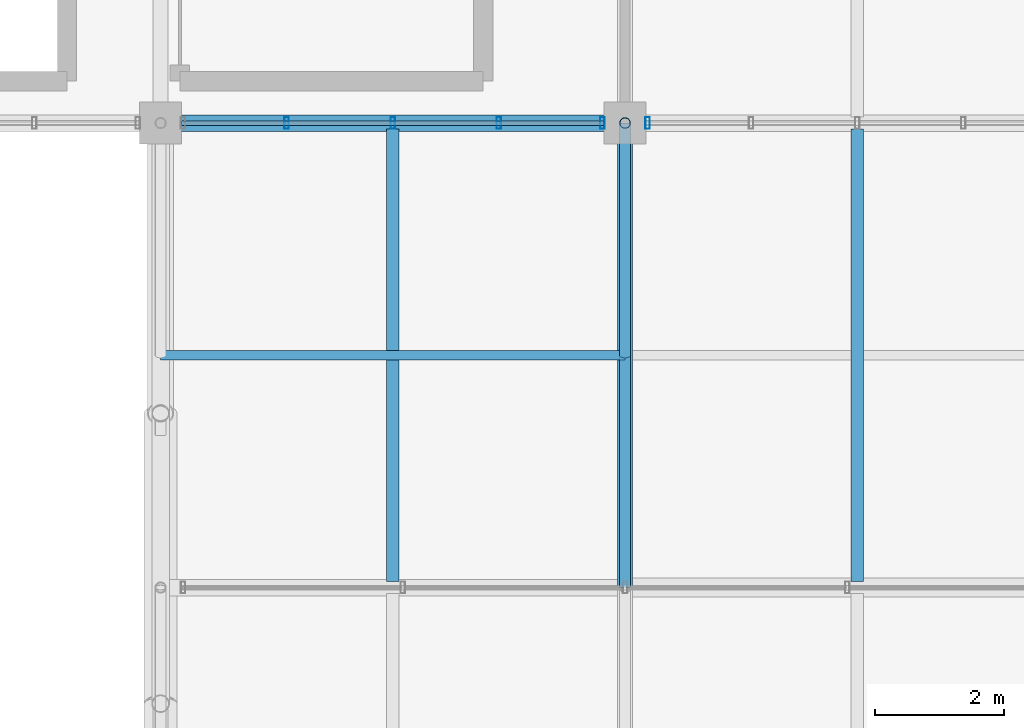
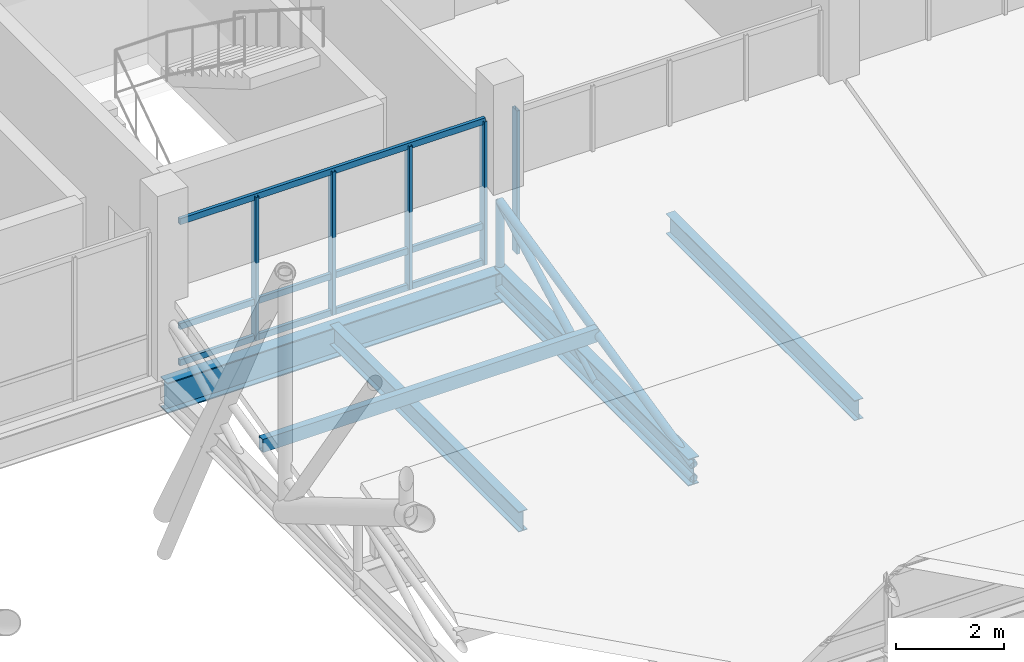
# One storey, part 80 of 144: 13 members, 4 beams, 2 elements without a shape of their own.
"""IFC4 building model written with IfcOpenShell, lengths in metres."""

from ifc_helpers import new_model, si_unit, direction, frame, origin, origin_2d, place, context, subcontext, project, spatial, hollow_rectangle, hollow_circle, i_section, extrude, material, material_profile, profile_set, type_object, element, aggregate, save


model = new_model("IFC4")

# Units and contexts
model_context = context("Model", 3, precision=1e-05, world=origin(), true_north=direction((0.0, 1.0)))
body_context = subcontext(model_context, "Body", "Model", "MODEL_VIEW")
ifc_project = project(units=[si_unit("LENGTHUNIT", "METRE"), si_unit("AREAUNIT", "SQUARE_METRE"), si_unit("VOLUMEUNIT", "CUBIC_METRE"), si_unit("PLANEANGLEUNIT", "RADIAN"), si_unit("MASSUNIT", "GRAM", prefix="KILO")], contexts=[model_context])

# Site, building, storey
site_placement = place(None, origin())
site = spatial("IfcSite", under=ifc_project, at=site_placement, CompositionType="ELEMENT")
building_placement = place(site_placement, origin())
building = spatial("IfcBuilding", under=site, at=building_placement, Name="Yarey Park Central Fire Station", CompositionType="ELEMENT")
storey_placement = place(building_placement, frame((0.0, 0.0, 10.199951171875)))
storey = spatial("IfcBuildingStorey", under=building, at=storey_placement, Name="L03", CompositionType="ELEMENT", Elevation=10.199951171875)

# Curtain wall, members
ifc_material_1 = material(Name="Anodized Aluminium Frame", Category="aluminium")
curtain_wall_type = type_object("IfcCurtainWallType", Name="ENV_CW_HQ_L03", PredefinedType="NOTDEFINED", material=ifc_material_1)
curtain_wall_1_placement = place(storey_placement, origin())
curtain_wall_1 = element("IfcCurtainWall", 1, at=curtain_wall_1_placement, inside=storey, type_object=curtain_wall_type, Name="CW_L03_V4_S_4", PredefinedType="NOTDEFINED")
ifc_material_profile_1 = material_profile(ifc_material_1, hollow_rectangle(XDim=0.070068359375, YDim=0.179931640625, WallThickness=0.00390625, at=origin_2d()), Name="ALU 180x70x4")
ifc_profile_set_1 = profile_set([ifc_material_profile_1], Name="Anodized Aluminium Frame")
member_type_1 = type_object("IfcMemberType", Name="ENV_CW_MULLION", PredefinedType="MULLION", material=ifc_profile_set_1)
member_1_placement = place(storey_placement, frame((138.7548828125, 93.60009765625, 0.0), z_axis=(0.0, 0.0, 1.0), x_axis=(1.0, 0.0, 0.0)))
member_1 = element("IfcMember", 2, at=member_1_placement, type_object=member_type_1, Name="CW_L03_V4_S_4_MUL2", PredefinedType="MULLION", context=body_context, shape_type="SweptSolid", body=[
    extrude(hollow_rectangle(XDim=0.070068359375, YDim=0.179931640625, WallThickness=0.00390625, at=origin_2d()), origin(), (0.0, 0.0, 1.0), 3.25),
])
member_2_placement = place(storey_placement, frame((140.39990234375, 93.60009765625, 0.0), z_axis=(0.0, 0.0, 1.0), x_axis=(1.0, 0.0, 0.0)))
member_2 = element("IfcMember", 3, at=member_2_placement, type_object=member_type_1, Name="CW_L03_V4_S_4_MUL3", PredefinedType="MULLION", context=body_context, shape_type="SweptSolid", body=[
    extrude(hollow_rectangle(XDim=0.070068359375, YDim=0.179931640625, WallThickness=0.00390625, at=origin_2d()), origin(), (0.0, 0.0, 1.0), 3.25),
])
member_3_placement = place(storey_placement, frame((142.044921875, 93.60009765625, 0.0), z_axis=(0.0, 0.0, 1.0), x_axis=(1.0, 0.0, 0.0)))
member_3 = element("IfcMember", 4, at=member_3_placement, type_object=member_type_1, Name="CW_L03_V4_S_4_MUL4", PredefinedType="MULLION", context=body_context, shape_type="SweptSolid", body=[
    extrude(hollow_rectangle(XDim=0.070068359375, YDim=0.179931640625, WallThickness=0.00390625, at=origin_2d()), origin(), (0.0, 0.0, 1.0), 3.25),
])
member_4_placement = place(storey_placement, frame((143.64990234375, 93.60009765625, 0.0), z_axis=(0.0, 0.0, 1.0), x_axis=(1.0, 0.0, 0.0)))
member_4 = element("IfcMember", 5, at=member_4_placement, type_object=member_type_1, Name="CW_L03_V4_S_4_MUL5", PredefinedType="MULLION", context=body_context, shape_type="SweptSolid", body=[
    extrude(hollow_rectangle(XDim=0.070068359375, YDim=0.179931640625, WallThickness=0.00390625, at=origin_2d()), origin(), (0.0, 0.0, 1.0), 3.25),
])

# Curtain wall, member
curtain_wall_2_placement = place(storey_placement, origin())
curtain_wall_2 = element("IfcCurtainWall", 6, at=curtain_wall_2_placement, inside=storey, type_object=curtain_wall_type, Name="CW_L03_V4_S_5", PredefinedType="NOTDEFINED")
member_5_placement = place(storey_placement, frame((144.35009765625, 93.60009765625, 0.0), z_axis=(0.0, 0.0, 1.0), x_axis=(1.0, 0.0, 0.0)))
member_5 = element("IfcMember", 7, at=member_5_placement, type_object=member_type_1, Name="CW_L03_V4_S_5_MUL1", PredefinedType="MULLION", context=body_context, shape_type="SweptSolid", body=[
    extrude(hollow_rectangle(XDim=0.070068359375, YDim=0.179931640625, WallThickness=0.00390625, at=origin_2d()), origin(), (0.0, 0.0, 1.0), 3.25),
])
aggregate(curtain_wall_2, [member_5])

# Member
ifc_material_profile_2 = material_profile(ifc_material_1, hollow_rectangle(XDim=0.070068359375, YDim=0.139892578125, WallThickness=0.00390625, at=origin_2d()), Name="ALU 140x70x4")
ifc_profile_set_2 = profile_set([ifc_material_profile_2], Name="Anodized Aluminium Frame")
member_type_2 = type_object("IfcMemberType", Name="ENV_CW_TRANSOM", PredefinedType="USERDEFINED", material=ifc_profile_set_2)
member_6_placement = place(storey_placement, frame((137.125, 93.60009765625, 0.025146484375), z_axis=(1.0, 0.0, 0.0), x_axis=(0.0, 1.0, 0.0)))
member_6 = element("IfcMember", 8, at=member_6_placement, type_object=member_type_2, Name="CW_L03_V4_S_4_TRN1", ObjectType="TRANSOM", PredefinedType="USERDEFINED", context=body_context, shape_type="SweptSolid", body=[
    extrude(hollow_rectangle(XDim=0.070068359375, YDim=0.139892578125, WallThickness=0.00390625, at=origin_2d()), origin(), (0.0, 0.0, 1.0), 6.550048828125),
])

member_7_placement = place(storey_placement, frame((137.125, 93.60009765625, 0.85009765625), z_axis=(1.0, 0.0, 0.0), x_axis=(0.0, 1.0, 0.0)))
member_7 = element("IfcMember", 9, at=member_7_placement, type_object=member_type_2, Name="CW_L03_V4_S_4_TRN2", ObjectType="TRANSOM", PredefinedType="USERDEFINED", context=body_context, shape_type="SweptSolid", body=[
    extrude(hollow_rectangle(XDim=0.070068359375, YDim=0.139892578125, WallThickness=0.00390625, at=origin_2d()), origin(), (0.0, 0.0, 1.0), 6.550048828125),
])

member_8_placement = place(storey_placement, frame((137.125, 93.60009765625, 3.22509765625), z_axis=(1.0, 0.0, 0.0), x_axis=(0.0, 1.0, 0.0)))
member_8 = element("IfcMember", 10, at=member_8_placement, type_object=member_type_2, Name="CW_L03_V4_S_4_TRN3", ObjectType="TRANSOM", PredefinedType="USERDEFINED", context=body_context, shape_type="SweptSolid", body=[
    extrude(hollow_rectangle(XDim=0.070068359375, YDim=0.139892578125, WallThickness=0.00390625, at=origin_2d()), origin(), (0.0, 0.0, 1.0), 6.550048828125),
])

aggregate(curtain_wall_1, [member_1, member_2, member_3, member_4, member_6, member_7, member_8])

# Beams
ifc_material_2 = material(Name="Steel ASTM A992 Gr. 50", Category="steel")
ifc_material_profile_3 = material_profile(ifc_material_2, i_section(OverallWidth=0.22900390625, OverallDepth=0.612060546875, WebThickness=0.011962890625, FlangeThickness=0.01953125, at=origin_2d()), Name="W610x125")
ifc_profile_set_3 = profile_set([ifc_material_profile_3], Name="Steel ASTM A992 Gr. 50")
beam_type_1 = type_object("IfcBeamType", Name="STR_BM_W610", PredefinedType="BEAM", material=ifc_profile_set_3)
beam_1_placement = place(storey_placement, frame((144.0, 86.39990234375, -0.48583984375), z_axis=(0.0, 1.0, 0.0), x_axis=(-1.0, 0.0, 0.0)))
element("IfcBeam", 11, at=beam_1_placement, inside=storey, type_object=beam_type_1, Name="BMY L03 X1440 Y864", PredefinedType="BEAM", context=body_context, shape_type="SweptSolid", body=[
    extrude(i_section(OverallWidth=0.22900390625, OverallDepth=0.612060546875, WebThickness=0.011962890625, FlangeThickness=0.01953125, at=origin_2d()), origin(), (0.0, 0.0, 1.0), 7.2001953125),
])
ifc_material_profile_4 = material_profile(ifc_material_2, i_section(OverallWidth=0.256103515625, OverallDepth=0.693115234375, WebThickness=0.014404296875, FlangeThickness=0.023681640625, at=origin_2d()), Name="W690x170")
ifc_profile_set_4 = profile_set([ifc_material_profile_4], Name="Steel ASTM A992 Gr. 50")
beam_type_2 = type_object("IfcBeamType", Name="STR_BM_W690", PredefinedType="BEAM", material=ifc_profile_set_4)
beam_2_placement = place(storey_placement, frame((136.800048828125, 93.60009765625, -0.6064453125), z_axis=(1.0, 0.0, 0.0), x_axis=(0.0, 1.0, 0.0)))
element("IfcBeam", 12, at=beam_2_placement, inside=storey, type_object=beam_type_2, Name="BMX L03 Y936 X1368", PredefinedType="BEAM", context=body_context, shape_type="SweptSolid", body=[
    extrude(i_section(OverallWidth=0.256103515625, OverallDepth=0.693115234375, WebThickness=0.014404296875, FlangeThickness=0.023681640625, at=origin_2d()), origin(), (0.0, 0.0, 1.0), 7.199951171875),
])

# Members
ifc_material_3 = material(Name="Steel ASTM A500 Gr. C", Category="steel")
ifc_material_profile_5 = material_profile(ifc_material_3, hollow_circle(Radius=0.084228515625, WallThickness=0.008056640625, at=origin_2d()), Name="CHS 168.3x8")
ifc_profile_set_5 = profile_set([ifc_material_profile_5], Name="Steel ASTM A500 Gr. C")
member_type_3 = type_object("IfcMemberType", Name="STR_CHORD_CHS168", PredefinedType="CHORD", material=ifc_profile_set_5)
member_9_placement = place(storey_placement, frame((144.0, 86.39990234375, -0.64990234375), z_axis=(0.0, 1.0, 0.0), x_axis=(-1.0, 0.0, 0.0)))
element("IfcMember", 13, at=member_9_placement, inside=storey, type_object=member_type_3, Name="SAW_T2_B7_BC", PredefinedType="CHORD", context=body_context, shape_type="SweptSolid", body=[
    extrude(hollow_circle(Radius=0.084228515625, WallThickness=0.008056640625, at=origin_2d()), origin(), (0.0, 0.0, 1.0), 7.2001953125),
])
member_10_placement = place(storey_placement, frame((144.0, 86.39990234375, -0.349853515625), z_axis=(0.0, 0.975465753488, 0.220151229324), x_axis=(-1.0, 0.0, 0.0)))
element("IfcMember", 14, at=member_10_placement, inside=storey, type_object=member_type_3, Name="SAW_T2_B7_TC", PredefinedType="CHORD", context=body_context, shape_type="SweptSolid", body=[
    extrude(hollow_circle(Radius=0.084228515625, WallThickness=0.008056640625, at=origin_2d()), origin(), (0.0, 0.0, 1.0), 7.38134765625),
])

# Beams
ifc_material_profile_6 = material_profile(ifc_material_2, i_section(OverallWidth=0.18994140625, OverallDepth=0.45703125, WebThickness=0.009033203125, FlangeThickness=0.014404296875, at=origin_2d()), Name="W460x74")
ifc_profile_set_6 = profile_set([ifc_material_profile_6], Name="Steel ASTM A992 Gr. 50")
beam_type_3 = type_object("IfcBeamType", Name="STR_JST_W460", PredefinedType="JOIST", material=ifc_profile_set_6)
for number, where, z_axis, x_axis, name in (
    (15, (140.39990234375, 86.4951171875, -0.408447265625), (0.0, 1.0, 0.0), (-1.0, 0.0, 0.0), "JST L03 X1404 Y864"),
    (16, (147.60009765625, 86.4951171875, -0.408447265625), (0.0, 1.0, 0.0), (-1.0, 0.0, 0.0), "JST L03 X1476 Y864"),
):
    element("IfcBeam", number, at=place(storey_placement, frame(where, z_axis=z_axis, x_axis=x_axis)), inside=storey, type_object=beam_type_3, Name=name, PredefinedType="JOIST", context=body_context, shape_type="SweptSolid", body=[
        extrude(i_section(OverallWidth=0.18994140625, OverallDepth=0.45703125, WebThickness=0.009033203125, FlangeThickness=0.014404296875, at=origin_2d()), origin(), (0.0, 0.0, 1.0), 7.009765625),
    ])

# Members
ifc_material_profile_7 = material_profile(ifc_material_3, hollow_rectangle(XDim=0.14990234375, YDim=0.300048828125, WallThickness=0.010009765625, at=origin_2d()), Name="HSS 300x150x10")
ifc_profile_set_7 = profile_set([ifc_material_profile_7], Name="Steel ASTM A500 Gr. C")
member_type_4 = type_object("IfcMemberType", Name="STR_PUR_HSS300", PredefinedType="PURLIN", material=ifc_profile_set_7)
member_11_placement = place(storey_placement, frame((136.800048828125, 90.0, 0.462646484375), z_axis=(1.0, 0.0, 0.0), x_axis=(0.0, 1.0, 0.0)))
element("IfcMember", 17, at=member_11_placement, inside=storey, type_object=member_type_4, Name="SAW_PUR_1_B7", PredefinedType="PURLIN", context=body_context, shape_type="SweptSolid", body=[
    extrude(hollow_rectangle(XDim=0.14990234375, YDim=0.300048828125, WallThickness=0.010009765625, at=origin_2d()), origin(), (0.0, 0.0, 1.0), 7.199951171875),
])
ifc_material_profile_8 = material_profile(ifc_material_3, hollow_circle(Radius=0.084228515625, WallThickness=0.008056640625, at=origin_2d()), Name="CHS 168.3x8")
ifc_profile_set_8 = profile_set([ifc_material_profile_8], Name="Steel ASTM A500 Gr. C")
member_type_5 = type_object("IfcMemberType", Name="STR_WEB_CHS168", PredefinedType="BRACE", material=ifc_profile_set_8)
member_12_placement = place(storey_placement, frame((144.0, 93.60009765625, -0.64990234375), z_axis=(0.0, 0.0, 1.0), x_axis=(1.0, 0.0, 0.0)))
element("IfcMember", 18, at=member_12_placement, inside=storey, type_object=member_type_5, Name="SAW_T2_B7_VT", PredefinedType="BRACE", context=body_context, shape_type="SweptSolid", body=[
    extrude(hollow_circle(Radius=0.084228515625, WallThickness=0.008056640625, at=origin_2d()), origin(), (0.0, 0.0, 1.0), 1.925048828125),
])
member_13_placement = place(storey_placement, frame((144.0, 90.0, -0.64990234375), z_axis=(0.0, 0.881844210833, 0.471540865483), x_axis=(-1.0, 0.0, 0.0)))
element("IfcMember", 19, at=member_13_placement, inside=storey, type_object=member_type_5, Name="SAW_T2_B7_DG", PredefinedType="BRACE", context=body_context, shape_type="SweptSolid", body=[
    extrude(hollow_circle(Radius=0.084228515625, WallThickness=0.008056640625, at=origin_2d()), origin(), (0.0, 0.0, 1.0), 4.08251953125),
])

save(model, "model.ifc")
